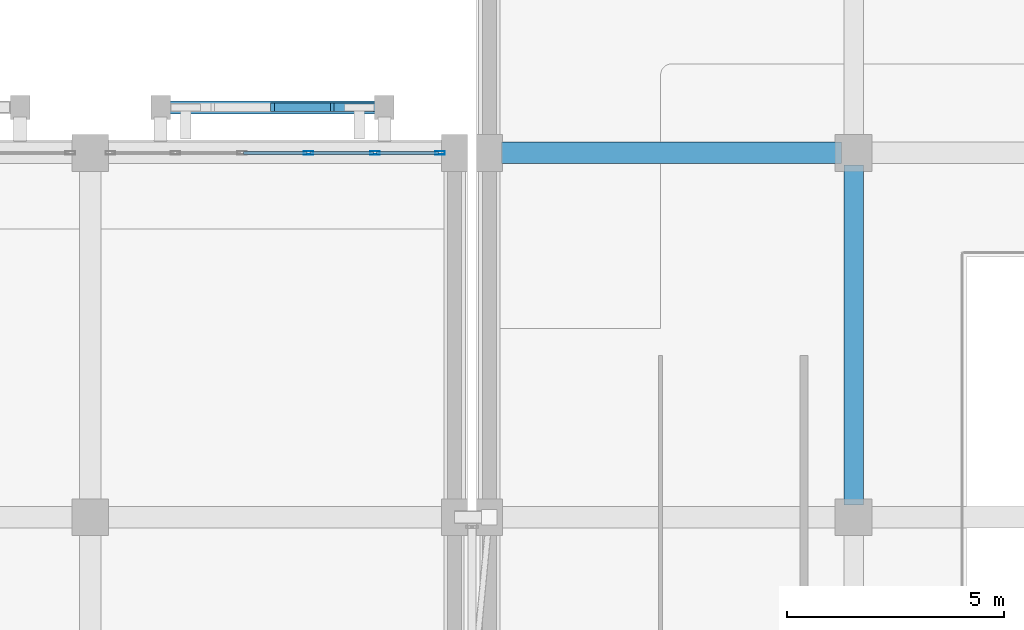
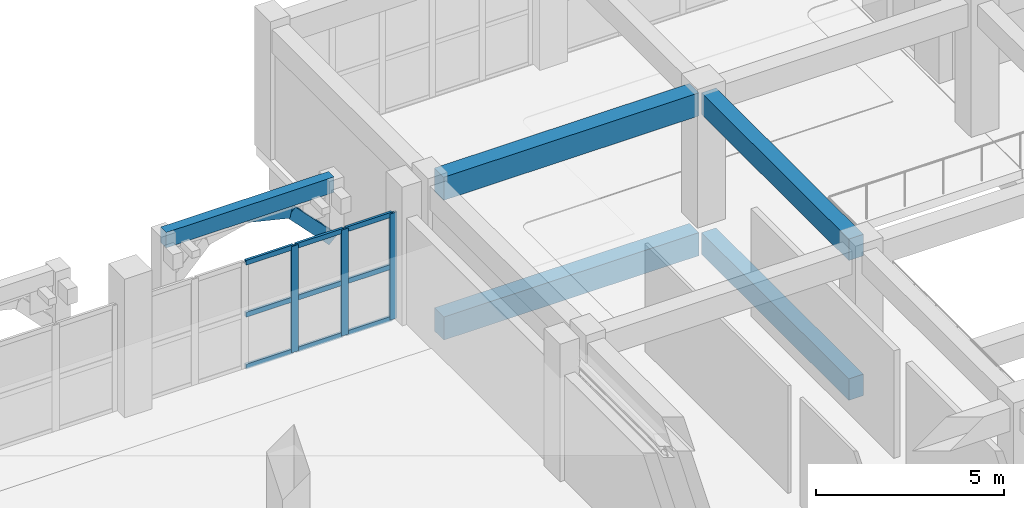
# One storey, part 63 of 129: 14 members, 5 beams, 1 element without a shape of its own.
"""IFC4 building model written with IfcOpenShell, lengths in metres."""

from ifc_helpers import new_model, si_unit, direction, frame, origin, origin_2d, place, context, subcontext, project, spatial, rectangle, hollow_rectangle, extrude, material, layer, layer_set, material_profile, profile_set, type_object, element, aggregate, save


model = new_model("IFC4")

# Units and contexts
model_context = context("Model", 3, precision=1e-05, world=origin(), true_north=direction((0.0, 1.0)))
body_context = subcontext(model_context, "Body", "Model", "MODEL_VIEW")
ifc_project = project(units=[si_unit("LENGTHUNIT", "METRE"), si_unit("AREAUNIT", "SQUARE_METRE"), si_unit("VOLUMEUNIT", "CUBIC_METRE"), si_unit("PLANEANGLEUNIT", "RADIAN"), si_unit("MASSUNIT", "GRAM", prefix="KILO")], contexts=[model_context])

# Site, building, storey
site_placement = place(None, origin())
site = spatial("IfcSite", under=ifc_project, at=site_placement, CompositionType="ELEMENT")
building_placement = place(site_placement, origin())
building = spatial("IfcBuilding", under=site, at=building_placement, Name="Xazarin Passage Department Store", CompositionType="ELEMENT")
storey_placement = place(building_placement, frame((0.0, 0.0, 9.89990234375)))
storey = spatial("IfcBuildingStorey", under=building, at=storey_placement, Name="L02", CompositionType="ELEMENT", Elevation=9.89990234375)

# Curtain wall, members
ifc_material_1 = material(Name="Bronze anodised aluminium", Category="aluminium")
ifc_layer = layer(ifc_material_1, 0.199951171875)
ifc_layer_set = layer_set([ifc_layer], Name="Bronze anodised aluminium")
curtain_wall_type = type_object("IfcCurtainWallType", Name="ARC-CW-VIT2", PredefinedType="NOTDEFINED", material=ifc_layer_set)
curtain_wall_placement = place(storey_placement, origin())
curtain_wall = element("IfcCurtainWall", 1, at=curtain_wall_placement, inside=storey, type_object=curtain_wall_type, Name="L02 V1 Curtain Wall 038", PredefinedType="NOTDEFINED")
ifc_material_profile_1 = material_profile(ifc_material_1, hollow_rectangle(XDim=0.074951171875, YDim=0.219970703125, WallThickness=0.0048828125, at=origin_2d()), Name="ALU 75x220")
ifc_profile_set_1 = profile_set([ifc_material_profile_1], Name="Bronze anodised aluminium")
member_type_1 = type_object("IfcMemberType", Name="ARC-CWM-75x220", PredefinedType="MULLION", material=ifc_profile_set_1)
member_1_placement = place(storey_placement, frame((63.830078125, 84.800048828125, 0.0), z_axis=(0.0, 0.0, 1.0), x_axis=(0.0, 1.0, 0.0)))
member_1 = element("IfcMember", 2, at=member_1_placement, type_object=member_type_1, Name="CW2 mullion 4", PredefinedType="MULLION", context=body_context, shape_type="SweptSolid", body=[
    extrude(hollow_rectangle(XDim=0.074951171875, YDim=0.219970703125, WallThickness=0.0048828125, at=origin_2d()), origin(), (0.0, 0.0, 1.0), 3.4501953125),
])
member_2_placement = place(storey_placement, frame((65.364990234375, 84.800048828125, 0.0), z_axis=(0.0, 0.0, 1.0), x_axis=(0.0, 1.0, 0.0)))
member_2 = element("IfcMember", 3, at=member_2_placement, type_object=member_type_1, Name="CW2 mullion 5", PredefinedType="MULLION", context=body_context, shape_type="SweptSolid", body=[
    extrude(hollow_rectangle(XDim=0.074951171875, YDim=0.219970703125, WallThickness=0.0048828125, at=origin_2d()), origin(), (0.0, 0.0, 1.0), 3.4501953125),
])
member_3_placement = place(storey_placement, frame((66.862548828125, 84.800048828125, 0.0), z_axis=(0.0, 0.0, 1.0), x_axis=(0.0, 1.0, 0.0)))
member_3 = element("IfcMember", 4, at=member_3_placement, type_object=member_type_1, Name="CW2 mullion 6", PredefinedType="MULLION", context=body_context, shape_type="SweptSolid", body=[
    extrude(hollow_rectangle(XDim=0.074951171875, YDim=0.219970703125, WallThickness=0.0048828125, at=origin_2d()), origin(), (0.0, 0.0, 1.0), 3.4501953125),
])
ifc_material_profile_2 = material_profile(ifc_material_1, hollow_rectangle(XDim=0.074951171875, YDim=0.159912109375, WallThickness=0.00439453125, at=origin_2d()), Name="ALU 75x160")
ifc_profile_set_2 = profile_set([ifc_material_profile_2], Name="Bronze anodised aluminium")
member_type_2 = type_object("IfcMemberType", Name="ARC-CWT-75x160", PredefinedType="USERDEFINED", material=ifc_profile_set_2)
member_4_placement = place(storey_placement, frame((62.33251953125, 84.800048828125, 0.03759765625), z_axis=(1.0, 0.0, 0.0), x_axis=(0.0, 1.0, 0.0)))
member_4 = element("IfcMember", 5, at=member_4_placement, type_object=member_type_2, Name="CW2 transom 3.1", ObjectType="TRANSOM", PredefinedType="USERDEFINED", context=body_context, shape_type="SweptSolid", body=[
    extrude(hollow_rectangle(XDim=0.074951171875, YDim=0.159912109375, WallThickness=0.00439453125, at=origin_2d()), origin(), (0.0, 0.0, 1.0), 1.4599609375),
])
member_5_placement = place(storey_placement, frame((62.33251953125, 84.800048828125, 1.72509765625), z_axis=(1.0, 0.0, 0.0), x_axis=(0.0, 1.0, 0.0)))
member_5 = element("IfcMember", 6, at=member_5_placement, type_object=member_type_2, Name="CW2 transom 3.2", ObjectType="TRANSOM", PredefinedType="USERDEFINED", context=body_context, shape_type="SweptSolid", body=[
    extrude(hollow_rectangle(XDim=0.074951171875, YDim=0.159912109375, WallThickness=0.00439453125, at=origin_2d()), origin(), (0.0, 0.0, 1.0), 1.4599609375),
])
member_6_placement = place(storey_placement, frame((62.33251953125, 84.800048828125, 3.41259765625), z_axis=(1.0, 0.0, 0.0), x_axis=(0.0, 1.0, 0.0)))
member_6 = element("IfcMember", 7, at=member_6_placement, type_object=member_type_2, Name="CW2 transom 3.3", ObjectType="TRANSOM", PredefinedType="USERDEFINED", context=body_context, shape_type="SweptSolid", body=[
    extrude(hollow_rectangle(XDim=0.074951171875, YDim=0.159912109375, WallThickness=0.00439453125, at=origin_2d()), origin(), (0.0, 0.0, 1.0), 1.4599609375),
])
member_7_placement = place(storey_placement, frame((63.867431640625, 84.800048828125, 0.03759765625), z_axis=(1.0, 0.0, 0.0), x_axis=(0.0, 1.0, 0.0)))
member_7 = element("IfcMember", 8, at=member_7_placement, type_object=member_type_2, Name="CW2 transom 4.1", ObjectType="TRANSOM", PredefinedType="USERDEFINED", context=body_context, shape_type="SweptSolid", body=[
    extrude(hollow_rectangle(XDim=0.074951171875, YDim=0.159912109375, WallThickness=0.00439453125, at=origin_2d()), origin(), (0.0, 0.0, 1.0), 1.4599609375),
])
member_8_placement = place(storey_placement, frame((63.867431640625, 84.800048828125, 1.72509765625), z_axis=(1.0, 0.0, 0.0), x_axis=(0.0, 1.0, 0.0)))
member_8 = element("IfcMember", 9, at=member_8_placement, type_object=member_type_2, Name="CW2 transom 4.2", ObjectType="TRANSOM", PredefinedType="USERDEFINED", context=body_context, shape_type="SweptSolid", body=[
    extrude(hollow_rectangle(XDim=0.074951171875, YDim=0.159912109375, WallThickness=0.00439453125, at=origin_2d()), origin(), (0.0, 0.0, 1.0), 1.4599609375),
])
member_9_placement = place(storey_placement, frame((63.867431640625, 84.800048828125, 3.41259765625), z_axis=(1.0, 0.0, 0.0), x_axis=(0.0, 1.0, 0.0)))
member_9 = element("IfcMember", 10, at=member_9_placement, type_object=member_type_2, Name="CW2 transom 4.3", ObjectType="TRANSOM", PredefinedType="USERDEFINED", context=body_context, shape_type="SweptSolid", body=[
    extrude(hollow_rectangle(XDim=0.074951171875, YDim=0.159912109375, WallThickness=0.00439453125, at=origin_2d()), origin(), (0.0, 0.0, 1.0), 1.4599609375),
])
member_10_placement = place(storey_placement, frame((65.402587890625, 84.800048828125, 0.03759765625), z_axis=(1.0, 0.0, 0.0), x_axis=(0.0, 1.0, 0.0)))
member_10 = element("IfcMember", 11, at=member_10_placement, type_object=member_type_2, Name="CW2 transom 5.1", ObjectType="TRANSOM", PredefinedType="USERDEFINED", context=body_context, shape_type="SweptSolid", body=[
    extrude(hollow_rectangle(XDim=0.074951171875, YDim=0.159912109375, WallThickness=0.00439453125, at=origin_2d()), origin(), (0.0, 0.0, 1.0), 1.42236328125),
])
member_11_placement = place(storey_placement, frame((65.402587890625, 84.800048828125, 1.72509765625), z_axis=(1.0, 0.0, 0.0), x_axis=(0.0, 1.0, 0.0)))
member_11 = element("IfcMember", 12, at=member_11_placement, type_object=member_type_2, Name="CW2 transom 5.2", ObjectType="TRANSOM", PredefinedType="USERDEFINED", context=body_context, shape_type="SweptSolid", body=[
    extrude(hollow_rectangle(XDim=0.074951171875, YDim=0.159912109375, WallThickness=0.00439453125, at=origin_2d()), origin(), (0.0, 0.0, 1.0), 1.42236328125),
])
member_12_placement = place(storey_placement, frame((65.402587890625, 84.800048828125, 3.41259765625), z_axis=(1.0, 0.0, 0.0), x_axis=(0.0, 1.0, 0.0)))
member_12 = element("IfcMember", 13, at=member_12_placement, type_object=member_type_2, Name="CW2 transom 5.3", ObjectType="TRANSOM", PredefinedType="USERDEFINED", context=body_context, shape_type="SweptSolid", body=[
    extrude(hollow_rectangle(XDim=0.074951171875, YDim=0.159912109375, WallThickness=0.00439453125, at=origin_2d()), origin(), (0.0, 0.0, 1.0), 1.42236328125),
])
aggregate(curtain_wall, [member_1, member_2, member_3, member_4, member_5, member_6, member_7, member_8, member_9, member_10, member_11, member_12])

# Beams
ifc_material_2 = material(Name="Concrete C35/45", Category="concrete")
ifc_material_profile_3 = material_profile(ifc_material_2, rectangle(XDim=0.449951171875, YDim=0.699951171875, at=origin_2d()), Name="RC 450x700")
ifc_profile_set_3 = profile_set([ifc_material_profile_3], Name="Concrete C35/45")
beam_type_1 = type_object("IfcBeamType", Name="STR-BM-G450x700", PredefinedType="BEAM", material=ifc_profile_set_3)
for number, where, z_axis, x_axis, name in (
    (14, (76.39990234375, 76.679931640625, -0.64990234375), (0.0, 1.0, 0.0), (-1.0, 0.0, 0.0), "L02 Grid Beam 11/L-M"),
    (15, (76.39990234375, 76.679931640625, 3.89013671875), (0.0, 1.0, 0.0), (-1.0, 0.0, 0.0), "L02 Grid Beam 11/L-M"),
):
    element("IfcBeam", number, at=place(storey_placement, frame(where, z_axis=z_axis, x_axis=x_axis)), inside=storey, type_object=beam_type_1, Name=name, PredefinedType="BEAM", context=body_context, shape_type="SweptSolid", body=[
        extrude(rectangle(XDim=0.449951171875, YDim=0.699951171875, at=origin_2d()), origin(), (0.0, 0.0, 1.0), 7.840087890625),
    ])
ifc_material_profile_4 = material_profile(ifc_material_2, rectangle(XDim=0.300048828125, YDim=0.5, at=origin_2d()), Name="RC 300x500")
ifc_profile_set_4 = profile_set([ifc_material_profile_4], Name="Concrete C35/45")
beam_type_2 = type_object("IfcBeamType", Name="STR-BM-LN300x500", PredefinedType="LINTEL", material=ifc_profile_set_4)
beam_placement = place(storey_placement, frame((60.419921875, 85.85009765625, 4.25), z_axis=(1.0, 0.0, 0.0), x_axis=(0.0, 1.0, 0.0)))
element("IfcBeam", 16, at=beam_placement, inside=storey, type_object=beam_type_2, Name="L02 V1 Colonnade Spandrel Beam 007", PredefinedType="LINTEL", context=body_context, shape_type="SweptSolid", body=[
    extrude(rectangle(XDim=0.300048828125, YDim=0.5, at=origin_2d()), origin(), (0.0, 0.0, 1.0), 5.16015625),
])
ifc_material_profile_5 = material_profile(ifc_material_2, rectangle(XDim=0.5, YDim=0.75, at=origin_2d()), Name="RC 500x750")
ifc_profile_set_5 = profile_set([ifc_material_profile_5], Name="Concrete C35/45")
beam_type_3 = type_object("IfcBeamType", Name="STR-BM-SP500x750", PredefinedType="SPANDREL", material=ifc_profile_set_5)
for number, where, z_axis, x_axis, name in (
    (17, (68.280029296875, 84.800048828125, -0.6748046875), (1.0, 0.0, 0.0), (0.0, 1.0, 0.0), "L02 Grid Beam M/10-11"),
    (18, (68.280029296875, 84.800048828125, 3.864990234375), (1.0, 0.0, 0.0), (0.0, 1.0, 0.0), "L02 Grid Beam M/10-11"),
):
    element("IfcBeam", number, at=place(storey_placement, frame(where, z_axis=z_axis, x_axis=x_axis)), inside=storey, type_object=beam_type_3, Name=name, PredefinedType="SPANDREL", context=body_context, shape_type="SweptSolid", body=[
        extrude(rectangle(XDim=0.5, YDim=0.75, at=origin_2d()), origin(), (0.0, 0.0, 1.0), 7.840087890625),
    ])

# Members
ifc_material_3 = material(Name="Concrete C40/50", Category="concrete")
ifc_material_profile_6 = material_profile(ifc_material_3, rectangle(XDim=0.199951171875, YDim=0.360107421875, at=origin_2d()), Name="RC 200x360")
ifc_profile_set_6 = profile_set([ifc_material_profile_6], Name="Concrete C40/50")
member_type_3 = type_object("IfcMemberType", Name="STR-MEM-ARC360", PredefinedType="CHORD", material=ifc_profile_set_6)
member_13_placement = place(storey_placement, frame((63.0, 85.85009765625, 4.080078125), z_axis=(0.972393983317, 0.0, -0.233345111818), x_axis=(0.0, 1.0, 0.0)))
element("IfcMember", 19, at=member_13_placement, inside=storey, type_object=member_type_3, Name="L02 V1 Pierced Lattice Curved Arch 007.3", PredefinedType="CHORD", context=body_context, shape_type="SweptSolid", body=[
    extrude(rectangle(XDim=0.199951171875, YDim=0.360107421875, at=origin_2d()), origin(), (0.0, 0.0, 1.0), 1.32666015625),
])
member_14_placement = place(storey_placement, frame((64.2900390625, 85.85009765625, 3.7705078125), z_axis=(0.693460080602, 0.0, -0.720495049679), x_axis=(0.0, 1.0, 0.0)))
element("IfcMember", 20, at=member_14_placement, inside=storey, type_object=member_type_3, Name="L02 V1 Pierced Lattice Curved Arch 007.4", PredefinedType="CHORD", context=body_context, shape_type="SweptSolid", body=[
    extrude(rectangle(XDim=0.199951171875, YDim=0.360107421875, at=origin_2d()), origin(), (0.0, 0.0, 1.0), 1.8603515625),
])

save(model, "model.ifc")
